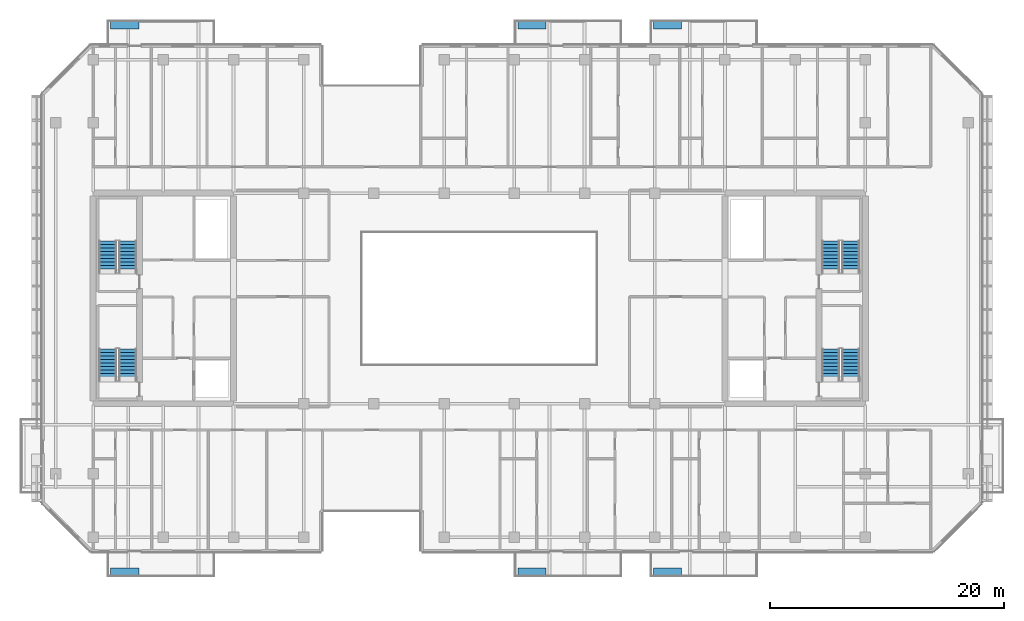
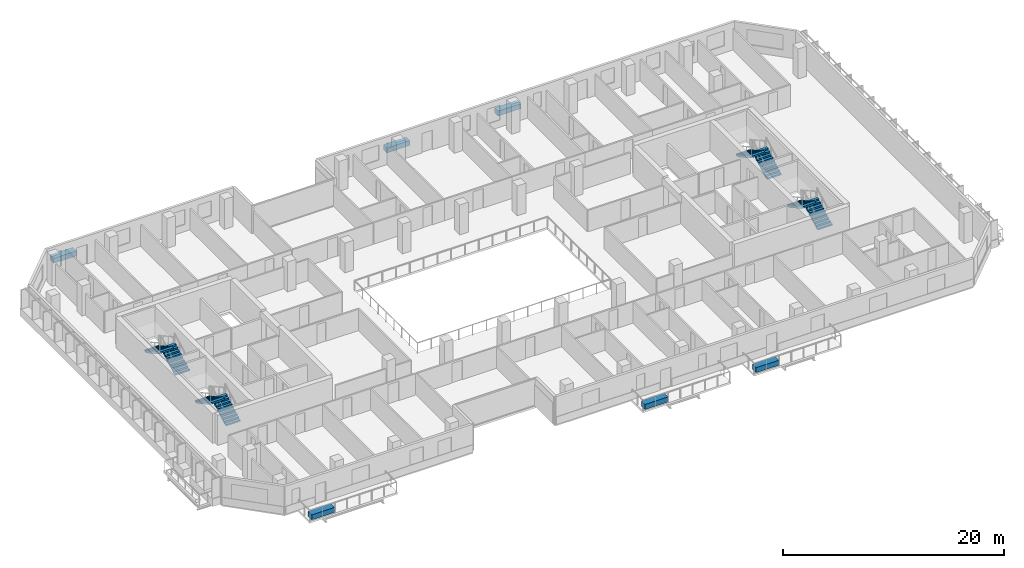
# One storey, part 15 of 19: 8 stair flights, 6 discrete accessories, 4 elements without a shape of their own.
"""IFC4 building model written with IfcOpenShell, lengths in metres."""

from ifc_helpers import new_model, si_unit, direction, frame, origin, origin_2d, place, context, subcontext, project, spatial, polyline, rectangle, outline, extrude, material, type_object, element, aggregate, save


model = new_model("IFC4")

# Units and contexts
model_context = context("Model", 3, precision=1e-05, world=origin(), true_north=direction((0.0, 1.0)))
body_context = subcontext(model_context, "Body", "Model", "MODEL_VIEW")
ifc_project = project(units=[si_unit("LENGTHUNIT", "METRE"), si_unit("AREAUNIT", "SQUARE_METRE"), si_unit("VOLUMEUNIT", "CUBIC_METRE"), si_unit("PLANEANGLEUNIT", "RADIAN"), si_unit("MASSUNIT", "GRAM", prefix="KILO")], contexts=[model_context])

# Site, building, storey
site_placement = place(None, origin())
site = spatial("IfcSite", under=ifc_project, at=site_placement, CompositionType="ELEMENT")
building_placement = place(site_placement, origin())
building = spatial("IfcBuilding", under=site, at=building_placement, Name="Tanjung Sevakor Pilgrim Tower", CompositionType="ELEMENT")
storey_placement = place(building_placement, frame((0.0, 0.0, 135.300048828125)))
storey = spatial("IfcBuildingStorey", under=building, at=storey_placement, Name="L37", CompositionType="ELEMENT", Elevation=135.300048828125)

# Stair, stair flights
ifc_material_1 = material(Name="Concrete C40/50", Category="concrete")
stair_type = type_object("IfcStairType", Name="STAIR-ST-CR150", PredefinedType="HALF_TURN_STAIR", material=ifc_material_1)
stair_1_placement = place(storey_placement, origin())
stair_1 = element("IfcStair", 1, at=stair_1_placement, inside=storey, type_object=stair_type, Name="L37 West Core Exit Stair 1", PredefinedType="HALF_TURN_STAIR")
ifc_material_2 = material(Name="Concrete C40/50", Category="concrete")
stair_flight_type = type_object("IfcStairFlightType", Name="FLIGHT-ST-CR150", PredefinedType="STRAIGHT", material=ifc_material_2)
stair_flight_1_placement = place(storey_placement, frame((26.949951171875, 26.60009765625, 0.0), z_axis=(0.0, 0.0, 1.0), x_axis=(0.0, 1.0, 0.0)))
stair_flight_1 = element("IfcStairFlight", 2, at=stair_flight_1_placement, type_object=stair_flight_type, Name="TS-W1 flight 1", NumberOfRisers=10, NumberOfTreads=9, PredefinedType="STRAIGHT", RiserHeight=0.165, TreadLength=0.3, context=body_context, shape_type="SweptSolid", body=[
    extrude(outline(polyline([(0.0, 0.0), (0.0, 0.1650390625), (0.300048828125, 0.1650390625), (0.300048828125, 0.330078125), (0.60009765625, 0.330078125), (0.60009765625, 0.4951171875), (0.89990234375, 0.4951171875), (0.89990234375, 0.659912109375), (1.199951171875, 0.659912109375), (1.199951171875, 0.824951171875), (1.5, 0.824951171875), (1.5, 0.989990234375), (1.800048828125, 0.989990234375), (1.800048828125, 1.155029296875), (2.10009765625, 1.155029296875), (2.10009765625, 1.320068359375), (2.39990234375, 1.320068359375), (2.39990234375, 1.485107421875), (2.699951171875, 1.485107421875), (2.699951171875, 1.64990234375), (2.699951171875, 1.302490234375), (0.331787109375, 0.0), (0.0, 0.0)])), frame((0.0, 0.75, 0.0), z_axis=(0.0, -1.0, 0.0), x_axis=(1.0, 0.0, 0.0)), (0.0, 0.0, 1.0), 1.5),
])
stair_flight_2_placement = place(storey_placement, frame((25.25, 29.300048828125, 1.64990234375), z_axis=(0.0, 0.0, 1.0), x_axis=(0.0, -1.0, 0.0)))
stair_flight_2 = element("IfcStairFlight", 3, at=stair_flight_2_placement, type_object=stair_flight_type, Name="TS-W1 flight 2", NumberOfRisers=10, NumberOfTreads=9, PredefinedType="STRAIGHT", RiserHeight=0.165, TreadLength=0.3, context=body_context, shape_type="SweptSolid", body=[
    extrude(outline(polyline([(0.0, 0.0), (0.0, 0.1650390625), (0.300048828125, 0.1650390625), (0.300048828125, 0.330078125), (0.60009765625, 0.330078125), (0.60009765625, 0.4951171875), (0.89990234375, 0.4951171875), (0.89990234375, 0.659912109375), (1.199951171875, 0.659912109375), (1.199951171875, 0.824951171875), (1.5, 0.824951171875), (1.5, 0.989990234375), (1.800048828125, 0.989990234375), (1.800048828125, 1.155029296875), (2.10009765625, 1.155029296875), (2.10009765625, 1.320068359375), (2.39990234375, 1.320068359375), (2.39990234375, 1.485107421875), (2.699951171875, 1.485107421875), (2.699951171875, 1.64990234375), (2.699951171875, 1.302490234375), (0.331787109375, 0.0), (0.0, 0.0)])), frame((0.0, 0.75, 0.0), z_axis=(0.0, -1.0, 0.0), x_axis=(1.0, 0.0, 0.0)), (0.0, 0.0, 1.0), 1.5),
])
aggregate(stair_1, [stair_flight_1, stair_flight_2])

stair_2_placement = place(storey_placement, origin())
stair_2 = element("IfcStair", 4, at=stair_2_placement, inside=storey, type_object=stair_type, Name="L37 West Core Exit Stair 2", PredefinedType="HALF_TURN_STAIR")
stair_flight_3_placement = place(storey_placement, frame((26.949951171875, 35.800048828125, 0.0), z_axis=(0.0, 0.0, 1.0), x_axis=(0.0, 1.0, 0.0)))
stair_flight_3 = element("IfcStairFlight", 5, at=stair_flight_3_placement, type_object=stair_flight_type, Name="TS-W2 flight 1", NumberOfRisers=10, NumberOfTreads=9, PredefinedType="STRAIGHT", RiserHeight=0.165, TreadLength=0.3, context=body_context, shape_type="SweptSolid", body=[
    extrude(outline(polyline([(0.0, 0.0), (0.0, 0.1650390625), (0.300048828125, 0.1650390625), (0.300048828125, 0.330078125), (0.60009765625, 0.330078125), (0.60009765625, 0.4951171875), (0.89990234375, 0.4951171875), (0.89990234375, 0.659912109375), (1.199951171875, 0.659912109375), (1.199951171875, 0.824951171875), (1.5, 0.824951171875), (1.5, 0.989990234375), (1.800048828125, 0.989990234375), (1.800048828125, 1.155029296875), (2.10009765625, 1.155029296875), (2.10009765625, 1.320068359375), (2.39990234375, 1.320068359375), (2.39990234375, 1.485107421875), (2.699951171875, 1.485107421875), (2.699951171875, 1.64990234375), (2.699951171875, 1.302490234375), (0.331787109375, 0.0), (0.0, 0.0)])), frame((0.0, 0.75, 0.0), z_axis=(0.0, -1.0, 0.0), x_axis=(1.0, 0.0, 0.0)), (0.0, 0.0, 1.0), 1.5),
])
stair_flight_4_placement = place(storey_placement, frame((25.25, 38.5, 1.64990234375), z_axis=(0.0, 0.0, 1.0), x_axis=(0.0, -1.0, 0.0)))
stair_flight_4 = element("IfcStairFlight", 6, at=stair_flight_4_placement, type_object=stair_flight_type, Name="TS-W2 flight 2", NumberOfRisers=10, NumberOfTreads=9, PredefinedType="STRAIGHT", RiserHeight=0.165, TreadLength=0.3, context=body_context, shape_type="SweptSolid", body=[
    extrude(outline(polyline([(0.0, 0.0), (0.0, 0.1650390625), (0.300048828125, 0.1650390625), (0.300048828125, 0.330078125), (0.60009765625, 0.330078125), (0.60009765625, 0.4951171875), (0.89990234375, 0.4951171875), (0.89990234375, 0.659912109375), (1.199951171875, 0.659912109375), (1.199951171875, 0.824951171875), (1.5, 0.824951171875), (1.5, 0.989990234375), (1.800048828125, 0.989990234375), (1.800048828125, 1.155029296875), (2.10009765625, 1.155029296875), (2.10009765625, 1.320068359375), (2.39990234375, 1.320068359375), (2.39990234375, 1.485107421875), (2.699951171875, 1.485107421875), (2.699951171875, 1.64990234375), (2.699951171875, 1.302490234375), (0.331787109375, 0.0), (0.0, 0.0)])), frame((0.0, 0.75, 0.0), z_axis=(0.0, -1.0, 0.0), x_axis=(1.0, 0.0, 0.0)), (0.0, 0.0, 1.0), 1.5),
])
aggregate(stair_2, [stair_flight_3, stair_flight_4])

stair_3_placement = place(storey_placement, origin())
stair_3 = element("IfcStair", 7, at=stair_3_placement, inside=storey, type_object=stair_type, Name="L37 East Core Exit Stair 1", PredefinedType="HALF_TURN_STAIR")
stair_flight_5_placement = place(storey_placement, frame((88.75, 26.60009765625, 0.0), z_axis=(0.0, 0.0, 1.0), x_axis=(0.0, 1.0, 0.0)))
stair_flight_5 = element("IfcStairFlight", 8, at=stair_flight_5_placement, type_object=stair_flight_type, Name="TS-E1 flight 1", NumberOfRisers=10, NumberOfTreads=9, PredefinedType="STRAIGHT", RiserHeight=0.165, TreadLength=0.3, context=body_context, shape_type="SweptSolid", body=[
    extrude(outline(polyline([(0.0, 0.0), (0.0, 0.1650390625), (0.300048828125, 0.1650390625), (0.300048828125, 0.330078125), (0.60009765625, 0.330078125), (0.60009765625, 0.4951171875), (0.89990234375, 0.4951171875), (0.89990234375, 0.659912109375), (1.199951171875, 0.659912109375), (1.199951171875, 0.824951171875), (1.5, 0.824951171875), (1.5, 0.989990234375), (1.800048828125, 0.989990234375), (1.800048828125, 1.155029296875), (2.10009765625, 1.155029296875), (2.10009765625, 1.320068359375), (2.39990234375, 1.320068359375), (2.39990234375, 1.485107421875), (2.699951171875, 1.485107421875), (2.699951171875, 1.64990234375), (2.699951171875, 1.302490234375), (0.331787109375, 0.0), (0.0, 0.0)])), frame((0.0, 0.75, 0.0), z_axis=(0.0, -1.0, 0.0), x_axis=(1.0, 0.0, 0.0)), (0.0, 0.0, 1.0), 1.5),
])
stair_flight_6_placement = place(storey_placement, frame((87.050048828125, 29.300048828125, 1.64990234375), z_axis=(0.0, 0.0, 1.0), x_axis=(0.0, -1.0, 0.0)))
stair_flight_6 = element("IfcStairFlight", 9, at=stair_flight_6_placement, type_object=stair_flight_type, Name="TS-E1 flight 2", NumberOfRisers=10, NumberOfTreads=9, PredefinedType="STRAIGHT", RiserHeight=0.165, TreadLength=0.3, context=body_context, shape_type="SweptSolid", body=[
    extrude(outline(polyline([(0.0, 0.0), (0.0, 0.1650390625), (0.300048828125, 0.1650390625), (0.300048828125, 0.330078125), (0.60009765625, 0.330078125), (0.60009765625, 0.4951171875), (0.89990234375, 0.4951171875), (0.89990234375, 0.659912109375), (1.199951171875, 0.659912109375), (1.199951171875, 0.824951171875), (1.5, 0.824951171875), (1.5, 0.989990234375), (1.800048828125, 0.989990234375), (1.800048828125, 1.155029296875), (2.10009765625, 1.155029296875), (2.10009765625, 1.320068359375), (2.39990234375, 1.320068359375), (2.39990234375, 1.485107421875), (2.699951171875, 1.485107421875), (2.699951171875, 1.64990234375), (2.699951171875, 1.302490234375), (0.331787109375, 0.0), (0.0, 0.0)])), frame((0.0, 0.75, 0.0), z_axis=(0.0, -1.0, 0.0), x_axis=(1.0, 0.0, 0.0)), (0.0, 0.0, 1.0), 1.5),
])
aggregate(stair_3, [stair_flight_5, stair_flight_6])

stair_4_placement = place(storey_placement, origin())
stair_4 = element("IfcStair", 10, at=stair_4_placement, inside=storey, type_object=stair_type, Name="L37 East Core Exit Stair 2", PredefinedType="HALF_TURN_STAIR")
stair_flight_7_placement = place(storey_placement, frame((88.75, 35.800048828125, 0.0), z_axis=(0.0, 0.0, 1.0), x_axis=(0.0, 1.0, 0.0)))
stair_flight_7 = element("IfcStairFlight", 11, at=stair_flight_7_placement, type_object=stair_flight_type, Name="TS-E2 flight 1", NumberOfRisers=10, NumberOfTreads=9, PredefinedType="STRAIGHT", RiserHeight=0.165, TreadLength=0.3, context=body_context, shape_type="SweptSolid", body=[
    extrude(outline(polyline([(0.0, 0.0), (0.0, 0.1650390625), (0.300048828125, 0.1650390625), (0.300048828125, 0.330078125), (0.60009765625, 0.330078125), (0.60009765625, 0.4951171875), (0.89990234375, 0.4951171875), (0.89990234375, 0.659912109375), (1.199951171875, 0.659912109375), (1.199951171875, 0.824951171875), (1.5, 0.824951171875), (1.5, 0.989990234375), (1.800048828125, 0.989990234375), (1.800048828125, 1.155029296875), (2.10009765625, 1.155029296875), (2.10009765625, 1.320068359375), (2.39990234375, 1.320068359375), (2.39990234375, 1.485107421875), (2.699951171875, 1.485107421875), (2.699951171875, 1.64990234375), (2.699951171875, 1.302490234375), (0.331787109375, 0.0), (0.0, 0.0)])), frame((0.0, 0.75, 0.0), z_axis=(0.0, -1.0, 0.0), x_axis=(1.0, 0.0, 0.0)), (0.0, 0.0, 1.0), 1.5),
])
stair_flight_8_placement = place(storey_placement, frame((87.050048828125, 38.5, 1.64990234375), z_axis=(0.0, 0.0, 1.0), x_axis=(0.0, -1.0, 0.0)))
stair_flight_8 = element("IfcStairFlight", 12, at=stair_flight_8_placement, type_object=stair_flight_type, Name="TS-E2 flight 2", NumberOfRisers=10, NumberOfTreads=9, PredefinedType="STRAIGHT", RiserHeight=0.165, TreadLength=0.3, context=body_context, shape_type="SweptSolid", body=[
    extrude(outline(polyline([(0.0, 0.0), (0.0, 0.1650390625), (0.300048828125, 0.1650390625), (0.300048828125, 0.330078125), (0.60009765625, 0.330078125), (0.60009765625, 0.4951171875), (0.89990234375, 0.4951171875), (0.89990234375, 0.659912109375), (1.199951171875, 0.659912109375), (1.199951171875, 0.824951171875), (1.5, 0.824951171875), (1.5, 0.989990234375), (1.800048828125, 0.989990234375), (1.800048828125, 1.155029296875), (2.10009765625, 1.155029296875), (2.10009765625, 1.320068359375), (2.39990234375, 1.320068359375), (2.39990234375, 1.485107421875), (2.699951171875, 1.485107421875), (2.699951171875, 1.64990234375), (2.699951171875, 1.302490234375), (0.331787109375, 0.0), (0.0, 0.0)])), frame((0.0, 0.75, 0.0), z_axis=(0.0, -1.0, 0.0), x_axis=(1.0, 0.0, 0.0)), (0.0, 0.0, 1.0), 1.5),
])
aggregate(stair_4, [stair_flight_7, stair_flight_8])

# Discrete accessories
ifc_material_3 = material(Name="Reconstructed Limestone Precast C45/55", Category="masonry")
discrete_accessory_type = type_object("IfcDiscreteAccessoryType", Name="ACC-PLANTER-STN2", PredefinedType="USERDEFINED", material=ifc_material_3)
for number, where, z_axis, x_axis, name in (
    (13, (26.699951171875, 10.25, 0.0), (0.0, 0.0, 1.0), (1.0, 0.0, 0.0), "L37 Balcony Stone Planter 031"),
    (14, (26.699951171875, 56.949951171875, 0.0), (0.0, 0.0, 1.0), (1.0, 0.0, 0.0), "L37 Balcony Stone Planter 032"),
    (15, (61.5, 10.25, 0.0), (0.0, 0.0, 1.0), (1.0, 0.0, 0.0), "L37 Balcony Stone Planter 033"),
    (16, (61.5, 56.949951171875, 0.0), (0.0, 0.0, 1.0), (1.0, 0.0, 0.0), "L37 Balcony Stone Planter 034"),
    (17, (73.10009765625, 10.25, 0.0), (0.0, 0.0, 1.0), (1.0, 0.0, 0.0), "L37 Balcony Stone Planter 035"),
    (18, (73.10009765625, 56.949951171875, 0.0), (0.0, 0.0, 1.0), (1.0, 0.0, 0.0), "L37 Balcony Stone Planter 036"),
):
    element("IfcDiscreteAccessory", number, at=place(storey_placement, frame(where, z_axis=z_axis, x_axis=x_axis)), inside=storey, type_object=discrete_accessory_type, Name=name, ObjectType="PLANTER", PredefinedType="USERDEFINED", context=body_context, shape_type="SweptSolid", body=[
        extrude(rectangle(XDim=2.39990234375, YDim=0.64990234375, at=origin_2d()), origin(), (0.0, 0.0, 1.0), 0.550048828125),
    ])

save(model, "model.ifc")
